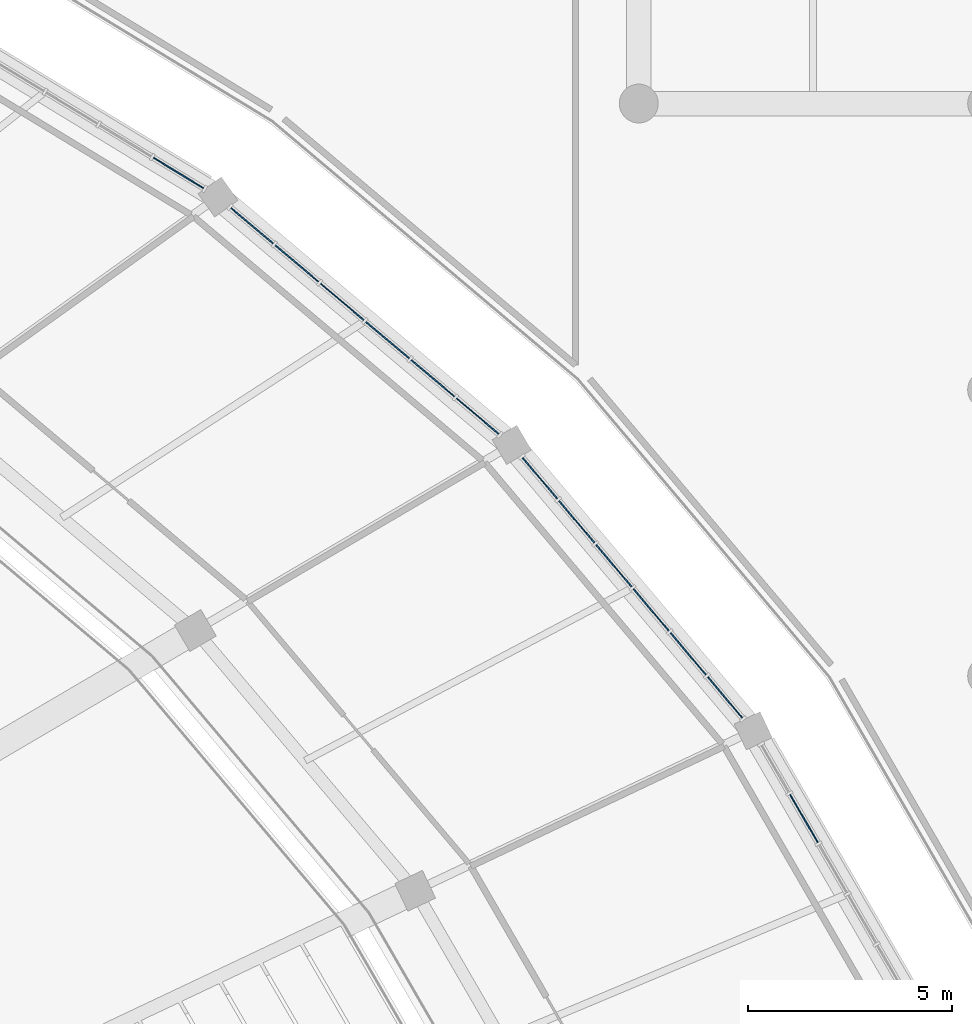
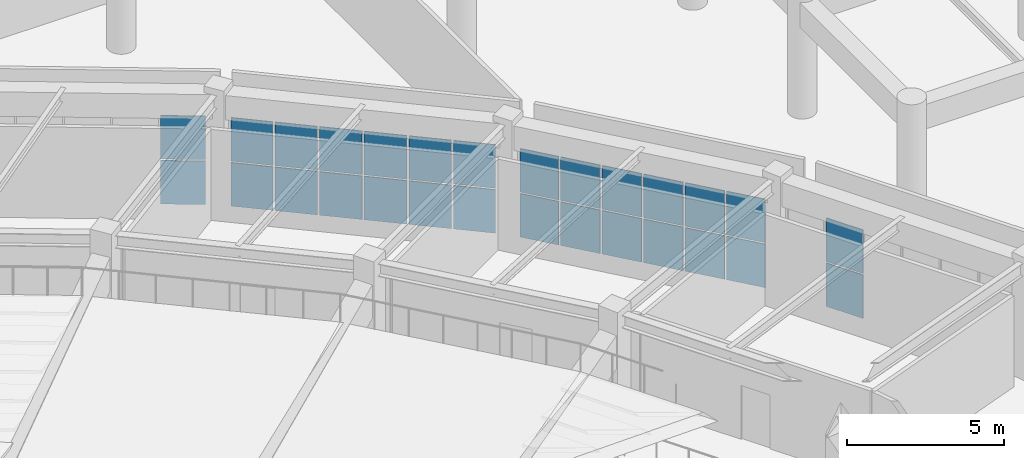
# One storey, part 90 of 137: 28 plates, 4 elements without a shape of their own.
"""IFC4 building model written with IfcOpenShell, lengths in metres."""

import ifcopenshell
import ifcopenshell.guid

model = None  # the IFC model being written
_history = None  # IfcOwnerHistory: only IFC2X3 demands one
_inside = {}  # id of a spatial element -> (the spatial element, [elements in it])
_under = {}  # id of a project, library or spatial element -> (it, [spatial elements below it])
_declared = {}  # id of a project -> (the project, [libraries it declares])
_typed = {}  # id of a type object -> (the type object, [elements of that type])
_made_of = {}  # id of a material, layer set ... -> (it, [elements and type objects made of it])


def new_model(schema):
    """Start an empty IFC model of exactly this schema.

    Asked for "IFC4X3", IfcOpenShell would pick the latest addendum, in which some entities
    have other attributes; the version numbers below select the first issue.
    IFC2X3 requires an IfcOwnerHistory on every rooted entity: one is made here for all.
    """
    global model, _history
    if schema == "IFC4X3":
        model = ifcopenshell.file(schema_version=(4, 3, 0, 0))
    else:
        model = ifcopenshell.file(schema=schema)
    _inside.clear()
    _under.clear()
    _declared.clear()
    _typed.clear()
    _made_of.clear()
    _history = None
    if model.schema == "IFC2X3":
        org = make("IfcOrganization", Name="unknown")
        user = make(
            "IfcPersonAndOrganization",
            ThePerson=make("IfcPerson", FamilyName="unknown"),
            TheOrganization=org,
        )
        app = make(
            "IfcApplication",
            ApplicationDeveloper=org,
            Version="unknown",
            ApplicationFullName="unknown",
            ApplicationIdentifier="unknown",
        )
        _history = make(
            "IfcOwnerHistory",
            OwningUser=user,
            OwningApplication=app,
            ChangeAction="ADDED",
            CreationDate=0,
        )
    return model


def make(cls, **values):
    """One entity of the class cls with the attributes given. An attribute that is None is left unset."""
    return model.create_entity(
        cls, **{name: value for name, value in values.items() if value is not None}
    )


def rooted(cls, **values):
    """An entity with a GlobalId (a new one), such as an element, a storey or a relation."""
    return make(cls, GlobalId=ifcopenshell.guid.new(), OwnerHistory=_history, **values)


def si_unit(unit_type, name, prefix=None):
    """IfcSIUnit, for example si_unit("LENGTHUNIT", "METRE", prefix="MILLI")."""
    return make("IfcSIUnit", UnitType=unit_type, Prefix=prefix, Name=name)


def assignment(units):
    """IfcUnitAssignment: the units of a project."""
    return None if units is None else make("IfcUnitAssignment", Units=units)


def point(xyz):
    """IfcCartesianPoint."""
    return None if xyz is None else make("IfcCartesianPoint", Coordinates=xyz)


def direction(xyz):
    """IfcDirection."""
    return None if xyz is None else make("IfcDirection", DirectionRatios=xyz)


def frame(location, z_axis=None, x_axis=None):
    """IfcAxis2Placement3D, a coordinate frame: its origin and axes. An axis left out is left unset."""
    return make(
        "IfcAxis2Placement3D",
        Location=point(location),
        Axis=direction(z_axis),
        RefDirection=direction(x_axis),
    )


def frame_2d(location, x_axis=None):
    """IfcAxis2Placement2D, a coordinate frame in the plane: its origin and x axis."""
    return make(
        "IfcAxis2Placement2D", Location=point(location), RefDirection=direction(x_axis)
    )


def origin():
    """The frame at (0, 0, 0) with its axes left unset."""
    return frame((0.0, 0.0, 0.0))


def origin_2d():
    """The frame at (0, 0) in the plane with its x axis left unset."""
    return frame_2d((0.0, 0.0))


def place(relative_to, where):
    """IfcLocalPlacement: puts the frame where relative to a parent placement (None: the world)."""
    return make(
        "IfcLocalPlacement", PlacementRelTo=relative_to, RelativePlacement=where
    )


def context(
    kind, dimensions, precision=None, world=None, true_north=None, identifier=None
):
    """IfcGeometricRepresentationContext, for example the 3D "Model" context."""
    return make(
        "IfcGeometricRepresentationContext",
        ContextIdentifier=identifier,
        ContextType=kind,
        CoordinateSpaceDimension=dimensions,
        Precision=precision,
        WorldCoordinateSystem=world,
        TrueNorth=true_north,
    )


def subcontext(parent, identifier, kind, view, scale=None):
    """IfcGeometricRepresentationSubContext, for example "Body" below "Model"."""
    return make(
        "IfcGeometricRepresentationSubContext",
        ContextIdentifier=identifier,
        ContextType=kind,
        ParentContext=parent,
        TargetScale=scale,
        TargetView=view,
    )


def project(units=None, contexts=None):
    """IfcProject with its units and contexts."""
    return rooted(
        "IfcProject",
        Name="project",
        RepresentationContexts=contexts,
        UnitsInContext=assignment(units),
    )


def spatial(cls, under=None, at=None, **own):
    """A site, building, storey or space (cls), placed at a placement, below another one or the project."""
    s = rooted(cls, ObjectPlacement=at, **own)
    if under is not None:
        _under.setdefault(under.id(), (under, []))[1].append(s)
    return s


def profile(cls, at=None, kind="AREA", **sizes):
    """A parametric profile (cls). Its sizes go by their IFC names, for example OverallWidth=200.0."""
    return make(cls, ProfileType=kind, Position=at, **sizes)


def rectangle(**sizes):
    """IfcRectangleProfileDef."""
    return profile("IfcRectangleProfileDef", **sizes)


def extrude(swept, where, along, depth):
    """IfcExtrudedAreaSolid: the profile swept, set in the frame where, extruded along a direction by depth."""
    return make(
        "IfcExtrudedAreaSolid",
        SweptArea=swept,
        Position=where,
        ExtrudedDirection=direction(along),
        Depth=depth,
    )


def shape(context_of_items, identifier, shape_type, items):
    """IfcShapeRepresentation: the items that make up one representation, for example the "Body"."""
    return make(
        "IfcShapeRepresentation",
        ContextOfItems=context_of_items,
        RepresentationIdentifier=identifier,
        RepresentationType=shape_type,
        Items=items,
    )


def material(Name=None, Category=None):
    """IfcMaterial."""
    return make("IfcMaterial", Name=Name, Category=Category)


def layer(
    of_material, thickness, ventilated=None, Name=None, Category=None, Priority=None
):
    """IfcMaterialLayer: one layer of a wall or slab, of a material (None: an air gap)."""
    return make(
        "IfcMaterialLayer",
        Material=of_material,
        LayerThickness=thickness,
        IsVentilated=ventilated,
        Name=Name,
        Category=Category,
        Priority=Priority,
    )


def layer_set(layers, Name=None):
    """IfcMaterialLayerSet."""
    return make("IfcMaterialLayerSet", MaterialLayers=layers, LayerSetName=Name)


def made_of(thing, what):
    """Note that an element or type object is made of a material, layer set ...; save() writes the relation."""
    if what is not None:
        _made_of.setdefault(what.id(), (what, []))[1].append(thing)
    return thing


def type_object(cls, material=None, **own):
    """A type object (cls), such as IfcWallType, which elements share."""
    return made_of(rooted(cls, **own), material)


def element(
    cls,
    number,
    at=None,
    inside=None,
    cuts=None,
    type_object=None,
    material=None,
    context=None,
    identifier="Body",
    shape_type=None,
    held_by="IfcProductDefinitionShape",
    body=None,
    shapes=None,
    **own,
):
    """One element of the class cls, such as IfcWall. Its Tag is "e" and its number.

    at: its placement. inside: the storey or other place that contains it. cuts: it is an
    opening in that element (IfcRelVoidsElement). A single representation is given by context,
    identifier, shape_type and body (its items); several are given by shapes. held_by: the class
    of the entity that holds the representations. save() writes the other relations.
    """
    e = rooted(cls, Tag="e%d" % number, ObjectPlacement=at, **own)
    if body is not None:
        shapes = [shape(context, identifier, shape_type, body)]
    if shapes is not None:
        e.Representation = make(held_by, Representations=shapes)
    if inside is not None:
        _inside.setdefault(inside.id(), (inside, []))[1].append(e)
    if cuts is not None:
        rooted(
            "IfcRelVoidsElement", RelatingBuildingElement=cuts, RelatedOpeningElement=e
        )
    if type_object is not None:
        _typed.setdefault(type_object.id(), (type_object, []))[1].append(e)
    return made_of(e, material)


def aggregate(whole, parts):
    """IfcRelAggregates: a whole, such as a stair, and the parts it consists of."""
    return rooted("IfcRelAggregates", RelatingObject=whole, RelatedObjects=parts)


def save(model, path):
    """Write the relations noted so far, then the file.

    IfcRelAggregates (storeys below a building ...), IfcRelContainedInSpatialStructure (elements
    in a storey), IfcRelDefinesByType, IfcRelAssociatesMaterial and IfcRelDeclares: one each for
    every whole, place, type object, material and project.
    """
    for whole, parts in _under.values():
        aggregate(whole, parts)
    for where, things in _inside.values():
        rooted(
            "IfcRelContainedInSpatialStructure",
            RelatedElements=things,
            RelatingStructure=where,
        )
    for kind, things in _typed.values():
        rooted("IfcRelDefinesByType", RelatedObjects=things, RelatingType=kind)
    for what, things in _made_of.values():
        rooted("IfcRelAssociatesMaterial", RelatedObjects=things, RelatingMaterial=what)
    for by, libraries in _declared.values():
        rooted("IfcRelDeclares", RelatingContext=by, RelatedDefinitions=libraries)
    model.write(path)


model = new_model("IFC4")

# Units and contexts
model_context = context("Model", 3, precision=1e-05, world=origin(), true_north=direction((0.0, 1.0)))
body_context = subcontext(model_context, "Body", "Model", "MODEL_VIEW")
ifc_project = project(units=[si_unit("LENGTHUNIT", "METRE"), si_unit("AREAUNIT", "SQUARE_METRE"), si_unit("VOLUMEUNIT", "CUBIC_METRE"), si_unit("PLANEANGLEUNIT", "RADIAN"), si_unit("MASSUNIT", "GRAM", prefix="KILO")], contexts=[model_context])

# Site, building, storey
site_placement = place(None, origin())
site = spatial("IfcSite", under=ifc_project, at=site_placement, CompositionType="ELEMENT")
building_placement = place(site_placement, origin())
building = spatial("IfcBuilding", under=site, at=building_placement, Name="Mphavela Belvedere Stadium", CompositionType="ELEMENT")
storey_placement = place(building_placement, frame((0.0, 0.0, 19.199951171875)))
storey = spatial("IfcBuildingStorey", under=building, at=storey_placement, Name="L04", CompositionType="ELEMENT", Elevation=19.199951171875)

# Curtain wall, plates
ifc_material_1 = material(Name="Anodised bronze unitised curtain wall framing")
ifc_layer_1 = layer(ifc_material_1, 0.179931640625)
ifc_layer_set_1 = layer_set([ifc_layer_1], Name="Anodised bronze unitised curtain wall framing")
curtain_wall_type_1 = type_object("IfcCurtainWallType", Name="CW-UNIT-01", PredefinedType="USERDEFINED", material=ifc_layer_set_1)
curtain_wall_1_placement = place(storey_placement, origin())
curtain_wall_1 = element("IfcCurtainWall", 1, at=curtain_wall_1_placement, inside=storey, type_object=curtain_wall_type_1, Name="Belvedere colonnade curtain wall L04-04", ObjectType="UNITISED CURTAIN WALL", PredefinedType="USERDEFINED")
ifc_material_2 = material(Name="Solar-control double glazing", Category="glass")
ifc_layer_2 = layer(ifc_material_2, 0.031982421875)
ifc_layer_set_2 = layer_set([ifc_layer_2], Name="Solar-control double glazing")
plate_type = type_object("IfcPlateType", Name="CWP-SOLAR-GLASS", PredefinedType="CURTAIN_PANEL", material=ifc_layer_set_2)
plate_1_placement = place(storey_placement, frame((208.48291015625, 128.51611328125, 0.06005859375), z_axis=(0.0, 0.0, 1.0), x_axis=(-0.500555998906, 0.865704159606, 0.0)))
plate_1 = element("IfcPlate", 2, at=plate_1_placement, type_object=plate_type, Name="CW-01 panel 5.1", PredefinedType="CURTAIN_PANEL", context=body_context, shape_type="SweptSolid", body=[
    extrude(rectangle(XDim=1.355224609375, YDim=0.031982421875, at=origin_2d()), origin(), (0.0, 0.0, 1.0), 1.695068359375),
])
plate_2_placement = place(storey_placement, frame((208.48291015625, 128.51611328125, 1.81494140625), z_axis=(0.0, 0.0, 1.0), x_axis=(-0.500555998906, 0.865704159606, 0.0)))
plate_2 = element("IfcPlate", 3, at=plate_2_placement, type_object=plate_type, Name="CW-01 panel 5.2", PredefinedType="CURTAIN_PANEL", context=body_context, shape_type="SweptSolid", body=[
    extrude(rectangle(XDim=1.355224609375, YDim=0.031982421875, at=origin_2d()), origin(), (0.0, 0.0, 1.0), 1.695068359375),
])
aggregate(curtain_wall_1, [plate_1, plate_2])

ifc_material_3 = material(Name="Anodised bronze unitised curtain wall framing")
ifc_layer_3 = layer(ifc_material_3, 0.18505859375)
ifc_layer_set_3 = layer_set([ifc_layer_3], Name="Anodised bronze unitised curtain wall framing")
curtain_wall_type_2 = type_object("IfcCurtainWallType", Name="CW-UNIT-02", PredefinedType="USERDEFINED", material=ifc_layer_set_3)
curtain_wall_2_placement = place(storey_placement, origin())
curtain_wall_2 = element("IfcCurtainWall", 4, at=curtain_wall_2_placement, inside=storey, type_object=curtain_wall_type_2, Name="Belvedere colonnade curtain wall L04-05", ObjectType="UNITISED CURTAIN WALL", PredefinedType="USERDEFINED")
plate_3_placement = place(storey_placement, frame((206.552978515625, 131.478271484375, 0.06005859375), z_axis=(0.0, 0.0, 1.0), x_axis=(-0.645175294774, 0.764034579723, 0.0)))
plate_3 = element("IfcPlate", 5, at=plate_3_placement, type_object=plate_type, Name="CW-02 panel 1.1", PredefinedType="CURTAIN_PANEL", context=body_context, shape_type="SweptSolid", body=[
    extrude(rectangle(XDim=1.311767578125, YDim=0.031982421875, at=origin_2d()), origin(), (0.0, 0.0, 1.0), 1.695068359375),
])
plate_4_placement = place(storey_placement, frame((206.552978515625, 131.478271484375, 1.81494140625), z_axis=(0.0, 0.0, 1.0), x_axis=(-0.645175294774, 0.764034579723, 0.0)))
plate_4 = element("IfcPlate", 6, at=plate_4_placement, type_object=plate_type, Name="CW-02 panel 1.2", PredefinedType="CURTAIN_PANEL", context=body_context, shape_type="SweptSolid", body=[
    extrude(rectangle(XDim=1.311767578125, YDim=0.031982421875, at=origin_2d()), origin(), (0.0, 0.0, 1.0), 1.695068359375),
])
plate_5_placement = place(storey_placement, frame((205.654296875, 132.54248046875, 0.06005859375), z_axis=(0.0, 0.0, 1.0), x_axis=(-0.645175294774, 0.764034579723, 0.0)))
plate_5 = element("IfcPlate", 7, at=plate_5_placement, type_object=plate_type, Name="CW-02 panel 2.1", PredefinedType="CURTAIN_PANEL", context=body_context, shape_type="SweptSolid", body=[
    extrude(rectangle(XDim=1.34423828125, YDim=0.031982421875, at=origin_2d()), origin(), (0.0, 0.0, 1.0), 1.695068359375),
])
plate_6_placement = place(storey_placement, frame((205.654296875, 132.54248046875, 1.81494140625), z_axis=(0.0, 0.0, 1.0), x_axis=(-0.645175294774, 0.764034579723, 0.0)))
plate_6 = element("IfcPlate", 8, at=plate_6_placement, type_object=plate_type, Name="CW-02 panel 2.2", PredefinedType="CURTAIN_PANEL", context=body_context, shape_type="SweptSolid", body=[
    extrude(rectangle(XDim=1.34423828125, YDim=0.031982421875, at=origin_2d()), origin(), (0.0, 0.0, 1.0), 1.695068359375),
])
plate_7_placement = place(storey_placement, frame((204.7451171875, 133.619140625, 0.06005859375), z_axis=(0.0, 0.0, 1.0), x_axis=(-0.645175294774, 0.764034579723, 0.0)))
plate_7 = element("IfcPlate", 9, at=plate_7_placement, type_object=plate_type, Name="CW-02 panel 3.1", PredefinedType="CURTAIN_PANEL", context=body_context, shape_type="SweptSolid", body=[
    extrude(rectangle(XDim=1.34423828125, YDim=0.031982421875, at=origin_2d()), origin(), (0.0, 0.0, 1.0), 1.695068359375),
])
plate_8_placement = place(storey_placement, frame((204.7451171875, 133.619140625, 1.81494140625), z_axis=(0.0, 0.0, 1.0), x_axis=(-0.645175294774, 0.764034579723, 0.0)))
plate_8 = element("IfcPlate", 10, at=plate_8_placement, type_object=plate_type, Name="CW-02 panel 3.2", PredefinedType="CURTAIN_PANEL", context=body_context, shape_type="SweptSolid", body=[
    extrude(rectangle(XDim=1.34423828125, YDim=0.031982421875, at=origin_2d()), origin(), (0.0, 0.0, 1.0), 1.695068359375),
])
plate_9_placement = place(storey_placement, frame((203.835693359375, 134.69580078125, 0.06005859375), z_axis=(0.0, 0.0, 1.0), x_axis=(-0.645175294774, 0.764034579723, 0.0)))
plate_9 = element("IfcPlate", 11, at=plate_9_placement, type_object=plate_type, Name="CW-02 panel 4.1", PredefinedType="CURTAIN_PANEL", context=body_context, shape_type="SweptSolid", body=[
    extrude(rectangle(XDim=1.34423828125, YDim=0.031982421875, at=origin_2d()), origin(), (0.0, 0.0, 1.0), 1.695068359375),
])
plate_10_placement = place(storey_placement, frame((203.835693359375, 134.69580078125, 1.81494140625), z_axis=(0.0, 0.0, 1.0), x_axis=(-0.645175294774, 0.764034579723, 0.0)))
plate_10 = element("IfcPlate", 12, at=plate_10_placement, type_object=plate_type, Name="CW-02 panel 4.2", PredefinedType="CURTAIN_PANEL", context=body_context, shape_type="SweptSolid", body=[
    extrude(rectangle(XDim=1.34423828125, YDim=0.031982421875, at=origin_2d()), origin(), (0.0, 0.0, 1.0), 1.695068359375),
])
plate_11_placement = place(storey_placement, frame((202.926513671875, 135.7724609375, 0.06005859375), z_axis=(0.0, 0.0, 1.0), x_axis=(-0.645175294774, 0.764034579723, 0.0)))
plate_11 = element("IfcPlate", 13, at=plate_11_placement, type_object=plate_type, Name="CW-02 panel 5.1", PredefinedType="CURTAIN_PANEL", context=body_context, shape_type="SweptSolid", body=[
    extrude(rectangle(XDim=1.34423828125, YDim=0.031982421875, at=origin_2d()), origin(), (0.0, 0.0, 1.0), 1.695068359375),
])
plate_12_placement = place(storey_placement, frame((202.926513671875, 135.7724609375, 1.81494140625), z_axis=(0.0, 0.0, 1.0), x_axis=(-0.645175294774, 0.764034579723, 0.0)))
plate_12 = element("IfcPlate", 14, at=plate_12_placement, type_object=plate_type, Name="CW-02 panel 5.2", PredefinedType="CURTAIN_PANEL", context=body_context, shape_type="SweptSolid", body=[
    extrude(rectangle(XDim=1.34423828125, YDim=0.031982421875, at=origin_2d()), origin(), (0.0, 0.0, 1.0), 1.695068359375),
])
plate_13_placement = place(storey_placement, frame((202.02783203125, 136.8369140625, 0.06005859375), z_axis=(0.0, 0.0, 1.0), x_axis=(-0.645175294774, 0.764034579723, 0.0)))
plate_13 = element("IfcPlate", 15, at=plate_13_placement, type_object=plate_type, Name="CW-02 panel 6.1", PredefinedType="CURTAIN_PANEL", context=body_context, shape_type="SweptSolid", body=[
    extrude(rectangle(XDim=1.311767578125, YDim=0.031982421875, at=origin_2d()), origin(), (0.0, 0.0, 1.0), 1.695068359375),
])
plate_14_placement = place(storey_placement, frame((202.02783203125, 136.8369140625, 1.81494140625), z_axis=(0.0, 0.0, 1.0), x_axis=(-0.645175294774, 0.764034579723, 0.0)))
plate_14 = element("IfcPlate", 16, at=plate_14_placement, type_object=plate_type, Name="CW-02 panel 6.2", PredefinedType="CURTAIN_PANEL", context=body_context, shape_type="SweptSolid", body=[
    extrude(rectangle(XDim=1.311767578125, YDim=0.031982421875, at=origin_2d()), origin(), (0.0, 0.0, 1.0), 1.695068359375),
])
aggregate(curtain_wall_2, [plate_3, plate_4, plate_5, plate_6, plate_7, plate_8, plate_9, plate_10, plate_11, plate_12, plate_13, plate_14])

ifc_material_4 = material(Name="Anodised bronze unitised curtain wall framing")
ifc_layer_4 = layer(ifc_material_4, 0.18994140625)
ifc_layer_set_4 = layer_set([ifc_layer_4], Name="Anodised bronze unitised curtain wall framing")
curtain_wall_type_3 = type_object("IfcCurtainWallType", Name="CW-UNIT-03", PredefinedType="USERDEFINED", material=ifc_layer_set_4)
curtain_wall_3_placement = place(storey_placement, origin())
curtain_wall_3 = element("IfcCurtainWall", 17, at=curtain_wall_3_placement, inside=storey, type_object=curtain_wall_type_3, Name="Belvedere colonnade curtain wall L04-06", ObjectType="UNITISED CURTAIN WALL", PredefinedType="USERDEFINED")
plate_15_placement = place(storey_placement, frame((200.505615234375, 138.35595703125, 0.06005859375), z_axis=(0.0, 0.0, 1.0), x_axis=(-0.764253429051, 0.644916038089, 0.0)))
plate_15 = element("IfcPlate", 18, at=plate_15_placement, type_object=plate_type, Name="CW-03 panel 1.1", PredefinedType="CURTAIN_PANEL", context=body_context, shape_type="SweptSolid", body=[
    extrude(rectangle(XDim=1.352783203125, YDim=0.031982421875, at=origin_2d()), origin(), (0.0, 0.0, 1.0), 1.695068359375),
])
plate_16_placement = place(storey_placement, frame((200.505615234375, 138.35595703125, 1.81494140625), z_axis=(0.0, 0.0, 1.0), x_axis=(-0.764253429051, 0.644916038089, 0.0)))
plate_16 = element("IfcPlate", 19, at=plate_16_placement, type_object=plate_type, Name="CW-03 panel 1.2", PredefinedType="CURTAIN_PANEL", context=body_context, shape_type="SweptSolid", body=[
    extrude(rectangle(XDim=1.352783203125, YDim=0.031982421875, at=origin_2d()), origin(), (0.0, 0.0, 1.0), 1.695068359375),
])
plate_17_placement = place(storey_placement, frame((199.40966796875, 139.281005859375, 0.06005859375), z_axis=(0.0, 0.0, 1.0), x_axis=(-0.764253429051, 0.644916038089, 0.0)))
plate_17 = element("IfcPlate", 20, at=plate_17_placement, type_object=plate_type, Name="CW-03 panel 2.1", PredefinedType="CURTAIN_PANEL", context=body_context, shape_type="SweptSolid", body=[
    extrude(rectangle(XDim=1.38525390625, YDim=0.031982421875, at=origin_2d()), origin(), (0.0, 0.0, 1.0), 1.695068359375),
])
plate_18_placement = place(storey_placement, frame((199.40966796875, 139.281005859375, 1.81494140625), z_axis=(0.0, 0.0, 1.0), x_axis=(-0.764253429051, 0.644916038089, 0.0)))
plate_18 = element("IfcPlate", 21, at=plate_18_placement, type_object=plate_type, Name="CW-03 panel 2.2", PredefinedType="CURTAIN_PANEL", context=body_context, shape_type="SweptSolid", body=[
    extrude(rectangle(XDim=1.38525390625, YDim=0.031982421875, at=origin_2d()), origin(), (0.0, 0.0, 1.0), 1.695068359375),
])
plate_19_placement = place(storey_placement, frame((198.30126953125, 140.21630859375, 0.06005859375), z_axis=(0.0, 0.0, 1.0), x_axis=(-0.764253429051, 0.644916038089, 0.0)))
plate_19 = element("IfcPlate", 22, at=plate_19_placement, type_object=plate_type, Name="CW-03 panel 3.1", PredefinedType="CURTAIN_PANEL", context=body_context, shape_type="SweptSolid", body=[
    extrude(rectangle(XDim=1.38525390625, YDim=0.031982421875, at=origin_2d()), origin(), (0.0, 0.0, 1.0), 1.695068359375),
])
plate_20_placement = place(storey_placement, frame((198.30126953125, 140.21630859375, 1.81494140625), z_axis=(0.0, 0.0, 1.0), x_axis=(-0.764253429051, 0.644916038089, 0.0)))
plate_20 = element("IfcPlate", 23, at=plate_20_placement, type_object=plate_type, Name="CW-03 panel 3.2", PredefinedType="CURTAIN_PANEL", context=body_context, shape_type="SweptSolid", body=[
    extrude(rectangle(XDim=1.38525390625, YDim=0.031982421875, at=origin_2d()), origin(), (0.0, 0.0, 1.0), 1.695068359375),
])
plate_21_placement = place(storey_placement, frame((197.192626953125, 141.151611328125, 0.06005859375), z_axis=(0.0, 0.0, 1.0), x_axis=(-0.764253429051, 0.644916038089, 0.0)))
plate_21 = element("IfcPlate", 24, at=plate_21_placement, type_object=plate_type, Name="CW-03 panel 4.1", PredefinedType="CURTAIN_PANEL", context=body_context, shape_type="SweptSolid", body=[
    extrude(rectangle(XDim=1.38525390625, YDim=0.031982421875, at=origin_2d()), origin(), (0.0, 0.0, 1.0), 1.695068359375),
])
plate_22_placement = place(storey_placement, frame((197.192626953125, 141.151611328125, 1.81494140625), z_axis=(0.0, 0.0, 1.0), x_axis=(-0.764253429051, 0.644916038089, 0.0)))
plate_22 = element("IfcPlate", 25, at=plate_22_placement, type_object=plate_type, Name="CW-03 panel 4.2", PredefinedType="CURTAIN_PANEL", context=body_context, shape_type="SweptSolid", body=[
    extrude(rectangle(XDim=1.38525390625, YDim=0.031982421875, at=origin_2d()), origin(), (0.0, 0.0, 1.0), 1.695068359375),
])
plate_23_placement = place(storey_placement, frame((196.084228515625, 142.087158203125, 0.06005859375), z_axis=(0.0, 0.0, 1.0), x_axis=(-0.764253429051, 0.644916038089, 0.0)))
plate_23 = element("IfcPlate", 26, at=plate_23_placement, type_object=plate_type, Name="CW-03 panel 5.1", PredefinedType="CURTAIN_PANEL", context=body_context, shape_type="SweptSolid", body=[
    extrude(rectangle(XDim=1.38525390625, YDim=0.031982421875, at=origin_2d()), origin(), (0.0, 0.0, 1.0), 1.695068359375),
])
plate_24_placement = place(storey_placement, frame((196.084228515625, 142.087158203125, 1.81494140625), z_axis=(0.0, 0.0, 1.0), x_axis=(-0.764253429051, 0.644916038089, 0.0)))
plate_24 = element("IfcPlate", 27, at=plate_24_placement, type_object=plate_type, Name="CW-03 panel 5.2", PredefinedType="CURTAIN_PANEL", context=body_context, shape_type="SweptSolid", body=[
    extrude(rectangle(XDim=1.38525390625, YDim=0.031982421875, at=origin_2d()), origin(), (0.0, 0.0, 1.0), 1.695068359375),
])
plate_25_placement = place(storey_placement, frame((194.98828125, 143.011962890625, 0.06005859375), z_axis=(0.0, 0.0, 1.0), x_axis=(-0.764253429051, 0.644916038089, 0.0)))
plate_25 = element("IfcPlate", 28, at=plate_25_placement, type_object=plate_type, Name="CW-03 panel 6.1", PredefinedType="CURTAIN_PANEL", context=body_context, shape_type="SweptSolid", body=[
    extrude(rectangle(XDim=1.352783203125, YDim=0.031982421875, at=origin_2d()), origin(), (0.0, 0.0, 1.0), 1.695068359375),
])
plate_26_placement = place(storey_placement, frame((194.98828125, 143.011962890625, 1.81494140625), z_axis=(0.0, 0.0, 1.0), x_axis=(-0.764253429051, 0.644916038089, 0.0)))
plate_26 = element("IfcPlate", 29, at=plate_26_placement, type_object=plate_type, Name="CW-03 panel 6.2", PredefinedType="CURTAIN_PANEL", context=body_context, shape_type="SweptSolid", body=[
    extrude(rectangle(XDim=1.352783203125, YDim=0.031982421875, at=origin_2d()), origin(), (0.0, 0.0, 1.0), 1.695068359375),
])
aggregate(curtain_wall_3, [plate_15, plate_16, plate_17, plate_18, plate_19, plate_20, plate_21, plate_22, plate_23, plate_24, plate_25, plate_26])

ifc_material_5 = material(Name="Anodised bronze unitised curtain wall framing")
ifc_layer_5 = layer(ifc_material_5, 0.195068359375)
ifc_layer_set_5 = layer_set([ifc_layer_5], Name="Anodised bronze unitised curtain wall framing")
curtain_wall_type_4 = type_object("IfcCurtainWallType", Name="CW-UNIT-04", PredefinedType="USERDEFINED", material=ifc_layer_set_5)
curtain_wall_4_placement = place(storey_placement, origin())
curtain_wall_4 = element("IfcCurtainWall", 30, at=curtain_wall_4_placement, inside=storey, type_object=curtain_wall_type_4, Name="Belvedere colonnade curtain wall L04-07", ObjectType="UNITISED CURTAIN WALL", PredefinedType="USERDEFINED")
plate_27_placement = place(storey_placement, frame((193.18896484375, 144.302490234375, 0.06005859375), z_axis=(0.0, 0.0, 1.0), x_axis=(-0.854327323226, 0.519735341101, 0.0)))
plate_27 = element("IfcPlate", 31, at=plate_27_placement, type_object=plate_type, Name="CW-04 panel 1.1", PredefinedType="CURTAIN_PANEL", context=body_context, shape_type="SweptSolid", body=[
    extrude(rectangle(XDim=1.436767578125, YDim=0.031982421875, at=origin_2d()), origin(), (0.0, 0.0, 1.0), 1.695068359375),
])
plate_28_placement = place(storey_placement, frame((193.18896484375, 144.302490234375, 1.81494140625), z_axis=(0.0, 0.0, 1.0), x_axis=(-0.854327323226, 0.519735341101, 0.0)))
plate_28 = element("IfcPlate", 32, at=plate_28_placement, type_object=plate_type, Name="CW-04 panel 1.2", PredefinedType="CURTAIN_PANEL", context=body_context, shape_type="SweptSolid", body=[
    extrude(rectangle(XDim=1.436767578125, YDim=0.031982421875, at=origin_2d()), origin(), (0.0, 0.0, 1.0), 1.695068359375),
])
aggregate(curtain_wall_4, [plate_27, plate_28])

save(model, "model.ifc")
